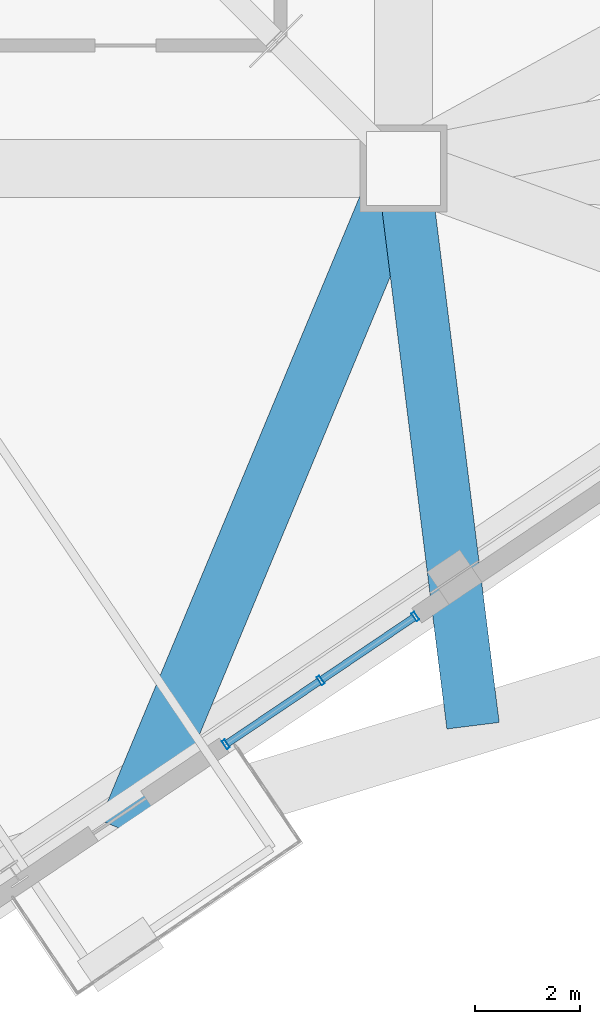
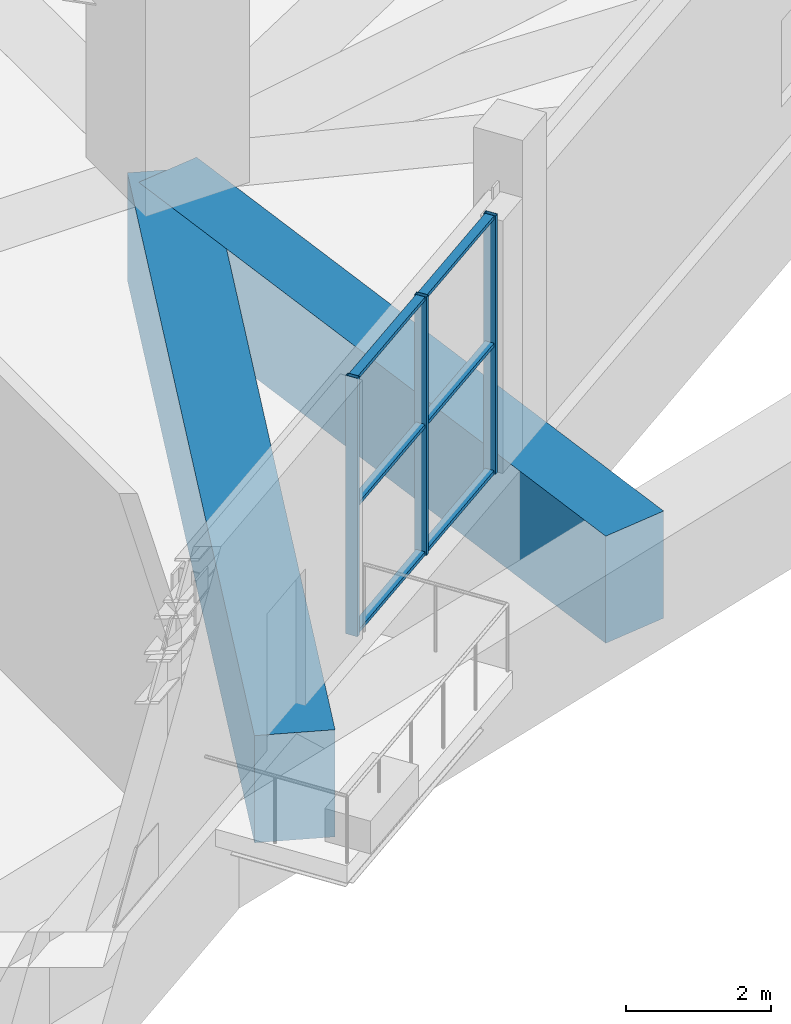
# One storey, part 3 of 21: 9 members, 2 beams, 1 element without a shape of its own.
"""IFC4 building model written with IfcOpenShell, lengths in metres."""

from ifc_helpers import new_model, si_unit, direction, frame, origin, origin_2d, place, context, subcontext, project, spatial, rectangle, hollow_rectangle, extrude, source, transform, mapped, material, layer, layer_set, material_profile, profile_set, type_object, element, aggregate, save


model = new_model("IFC4")

# Units and contexts
model_context = context("Model", 3, precision=1e-05, world=origin(), true_north=direction((0.0, 1.0)))
body_context = subcontext(model_context, "Body", "Model", "MODEL_VIEW")
ifc_project = project(units=[si_unit("LENGTHUNIT", "METRE"), si_unit("AREAUNIT", "SQUARE_METRE"), si_unit("VOLUMEUNIT", "CUBIC_METRE"), si_unit("PLANEANGLEUNIT", "RADIAN"), si_unit("MASSUNIT", "GRAM", prefix="KILO"), si_unit("THERMODYNAMICTEMPERATUREUNIT", "KELVIN")], contexts=[model_context])

# Site, building, storey
site_placement = place(None, origin())
site = spatial("IfcSite", under=ifc_project, at=site_placement, CompositionType="ELEMENT")
building_placement = place(site_placement, origin())
building = spatial("IfcBuilding", under=site, at=building_placement, Name="Kosmvard Interchange Tower", CompositionType="ELEMENT")
storey_placement = place(building_placement, frame((0.0, 0.0, 139.199951171875)))
storey = spatial("IfcBuildingStorey", under=building, at=storey_placement, Name="L33", CompositionType="ELEMENT", Elevation=139.199951171875)

# Beams
ifc_material_1 = material(Name="Concrete C60/75", Category="concrete")
ifc_material_profile_1 = material_profile(ifc_material_1, rectangle(XDim=1.1201171875, YDim=1.800048828125, at=origin_2d()), Name="TG 1120x1800")
ifc_profile_set_1 = profile_set([ifc_material_profile_1], Name="Concrete C60/75")
beam_type_1 = type_object("IfcBeamType", Name="Zone Long-Span Transfer Girder 1120x1800 C60/75", PredefinedType="USERDEFINED", material=ifc_profile_set_1)
shared_shape_1 = source(origin(), body_context, "Body", "SweptSolid", [
    extrude(rectangle(XDim=1.1201171875, YDim=1.800048828125, at=origin_2d()), origin(), (0.0, 0.0, 1.0), 13.619384765625),
])
beam_1_placement = place(storey_placement, frame((13.0810546875, -13.0810546875, -0.89990234375), z_axis=(-0.384617930303, -0.92307586237, 0.0), x_axis=(0.92307586237, -0.384617930303, 0.0)))
element("IfcBeam", 1, at=beam_1_placement, inside=storey, type_object=beam_type_1, Name="BM-L33-LD02", ObjectType="TRANSFER_GIRDER", PredefinedType="USERDEFINED", context=body_context, shape_type="MappedRepresentation", body=[
    mapped(shared_shape_1, transform((0.0, 0.0, 0.0), scale=1.0)),
])
ifc_material_profile_2 = material_profile(ifc_material_1, rectangle(XDim=1.0, YDim=1.800048828125, at=origin_2d()), Name="TG 1000x1800")
ifc_profile_set_2 = profile_set([ifc_material_profile_2], Name="Concrete C60/75")
beam_type_2 = type_object("IfcBeamType", Name="Zone Transfer Ring Girder 1000x1800 C60/75", PredefinedType="USERDEFINED", material=ifc_profile_set_2)
shared_shape_2 = source(origin(), body_context, "Body", "SweptSolid", [
    extrude(rectangle(XDim=1.0, YDim=1.800048828125, at=origin_2d()), origin(), (0.0, 0.0, 1.0), 10.648681640625),
])
beam_2_placement = place(storey_placement, frame((13.0810546875, -13.0810546875, -0.89990234375), z_axis=(0.124057308709, -0.992275054688, 0.0), x_axis=(0.992275054688, 0.124057308709, 0.0)))
element("IfcBeam", 2, at=beam_2_placement, inside=storey, type_object=beam_type_2, Name="BM-L33-RD02", ObjectType="TRANSFER_GIRDER", PredefinedType="USERDEFINED", context=body_context, shape_type="MappedRepresentation", body=[
    mapped(shared_shape_2, transform((0.0, 0.0, 0.0), scale=1.0)),
])

# Curtain wall, members
ifc_material_2 = material(Name="Architectural anodised aluminium", Category="aluminium")
ifc_layer = layer(ifc_material_2, 0.179931640625, Name="Architectural anodised aluminium")
ifc_layer_set = layer_set([ifc_layer], Name="Architectural anodised aluminium")
curtain_wall_type = type_object("IfcCurtainWallType", Name="CW-3 Sky-Garden Vestibule Curtain Wall", PredefinedType="NOTDEFINED", material=ifc_layer_set)
curtain_wall_placement = place(storey_placement, origin())
curtain_wall = element("IfcCurtainWall", 3, at=curtain_wall_placement, inside=storey, type_object=curtain_wall_type, Name="L33 Sky-Garden Curtain Wall S", PredefinedType="NOTDEFINED")
ifc_material_profile_3 = material_profile(ifc_material_2, hollow_rectangle(XDim=0.179931640625, YDim=0.06494140625, WallThickness=0.00390625, at=origin_2d()), Name="CWM 180x65x4")
ifc_profile_set_3 = profile_set([ifc_material_profile_3], Name="Architectural anodised aluminium")
member_type_1 = type_object("IfcMemberType", Name="Sky-Garden CW Mullion 180x65 Aluminium", PredefinedType="MULLION", material=ifc_profile_set_3)
shared_shape_3 = source(origin(), body_context, "Body", "SweptSolid", [
    extrude(hollow_rectangle(XDim=0.179931640625, YDim=0.06494140625, WallThickness=0.00390625, at=origin_2d()), origin(), (0.0, 0.0, 1.0), 4.340087890625),
])
member_1_placement = place(storey_placement, frame((9.714599609375, -24.0009765625, 0.0), z_axis=(0.0, 0.0, 1.0), x_axis=(-0.559192710637, 0.829037702623, 0.0)))
member_1 = element("IfcMember", 4, at=member_1_placement, type_object=member_type_1, Name="CW-3 mullion 1", PredefinedType="MULLION", context=body_context, shape_type="MappedRepresentation", body=[
    mapped(shared_shape_3, transform((0.0, 0.0, 0.0), scale=1.0)),
])
member_2_placement = place(storey_placement, frame((11.511474609375, -22.788818359375, 0.0), z_axis=(0.0, 0.0, 1.0), x_axis=(-0.559192710637, 0.829037702623, 0.0)))
member_2 = element("IfcMember", 5, at=member_2_placement, type_object=member_type_1, Name="CW-3 mullion 2", PredefinedType="MULLION", context=body_context, shape_type="MappedRepresentation", body=[
    mapped(shared_shape_3, transform((0.0, 0.0, 0.0), scale=1.0)),
])
member_3_placement = place(storey_placement, frame((13.308349609375, -21.576904296875, 0.0), z_axis=(0.0, 0.0, 1.0), x_axis=(-0.559192710637, 0.829037702623, 0.0)))
member_3 = element("IfcMember", 6, at=member_3_placement, type_object=member_type_1, Name="CW-3 mullion 3", PredefinedType="MULLION", context=body_context, shape_type="MappedRepresentation", body=[
    mapped(shared_shape_3, transform((0.0, 0.0, 0.0), scale=1.0)),
])
ifc_material_profile_4 = material_profile(ifc_material_2, hollow_rectangle(XDim=0.139892578125, YDim=0.06005859375, WallThickness=0.00390625, at=origin_2d()), Name="CWT 140x60x4")
ifc_profile_set_4 = profile_set([ifc_material_profile_4], Name="Architectural anodised aluminium")
member_type_2 = type_object("IfcMemberType", Name="Sky-Garden CW Transom 140x60 Aluminium", PredefinedType="USERDEFINED", material=ifc_profile_set_4)
shared_shape_4 = source(origin(), body_context, "Body", "SweptSolid", [
    extrude(hollow_rectangle(XDim=0.139892578125, YDim=0.06005859375, WallThickness=0.00390625, at=origin_2d()), origin(), (0.0, 0.0, 1.0), 2.1025390625),
])
member_4_placement = place(storey_placement, frame((9.741455078125, -23.98291015625, 0.030029296875), z_axis=(0.829000764821, 0.559247469307, 0.0), x_axis=(-0.559247469307, 0.829000764821, 0.0)))
member_4 = element("IfcMember", 7, at=member_4_placement, type_object=member_type_2, Name="CW-3 transom 1.1", ObjectType="TRANSOM", PredefinedType="USERDEFINED", context=body_context, shape_type="MappedRepresentation", body=[
    mapped(shared_shape_4, transform((0.0, 0.0, 0.0), scale=1.0)),
])
member_5_placement = place(storey_placement, frame((9.741455078125, -23.98291015625, 2.170166015625), z_axis=(0.829000764821, 0.559247469307, 0.0), x_axis=(-0.559247469307, 0.829000764821, 0.0)))
member_5 = element("IfcMember", 8, at=member_5_placement, type_object=member_type_2, Name="CW-3 transom 1.2", ObjectType="TRANSOM", PredefinedType="USERDEFINED", context=body_context, shape_type="MappedRepresentation", body=[
    mapped(shared_shape_4, transform((0.0, 0.0, 0.0), scale=1.0)),
])
member_6_placement = place(storey_placement, frame((9.741455078125, -23.98291015625, 4.31005859375), z_axis=(0.829000764821, 0.559247469307, 0.0), x_axis=(-0.559247469307, 0.829000764821, 0.0)))
member_6 = element("IfcMember", 9, at=member_6_placement, type_object=member_type_2, Name="CW-3 transom 1.3", ObjectType="TRANSOM", PredefinedType="USERDEFINED", context=body_context, shape_type="MappedRepresentation", body=[
    mapped(shared_shape_4, transform((0.0, 0.0, 0.0), scale=1.0)),
])
member_7_placement = place(storey_placement, frame((11.538330078125, -22.770751953125, 0.030029296875), z_axis=(0.829037077885, 0.559193636848, 0.0), x_axis=(-0.559193636848, 0.829037077885, 0.0)))
member_7 = element("IfcMember", 10, at=member_7_placement, type_object=member_type_2, Name="CW-3 transom 2.1", ObjectType="TRANSOM", PredefinedType="USERDEFINED", context=body_context, shape_type="MappedRepresentation", body=[
    mapped(shared_shape_4, transform((0.0, 0.0, 0.0), scale=1.0)),
])
member_8_placement = place(storey_placement, frame((11.538330078125, -22.770751953125, 2.170166015625), z_axis=(0.829037077885, 0.559193636848, 0.0), x_axis=(-0.559193636848, 0.829037077885, 0.0)))
member_8 = element("IfcMember", 11, at=member_8_placement, type_object=member_type_2, Name="CW-3 transom 2.2", ObjectType="TRANSOM", PredefinedType="USERDEFINED", context=body_context, shape_type="MappedRepresentation", body=[
    mapped(shared_shape_4, transform((0.0, 0.0, 0.0), scale=1.0)),
])
member_9_placement = place(storey_placement, frame((11.538330078125, -22.770751953125, 4.31005859375), z_axis=(0.829037077885, 0.559193636848, 0.0), x_axis=(-0.559193636848, 0.829037077885, 0.0)))
member_9 = element("IfcMember", 12, at=member_9_placement, type_object=member_type_2, Name="CW-3 transom 2.3", ObjectType="TRANSOM", PredefinedType="USERDEFINED", context=body_context, shape_type="MappedRepresentation", body=[
    mapped(shared_shape_4, transform((0.0, 0.0, 0.0), scale=1.0)),
])
aggregate(curtain_wall, [member_1, member_2, member_3, member_4, member_5, member_6, member_7, member_8, member_9])

save(model, "model.ifc")
